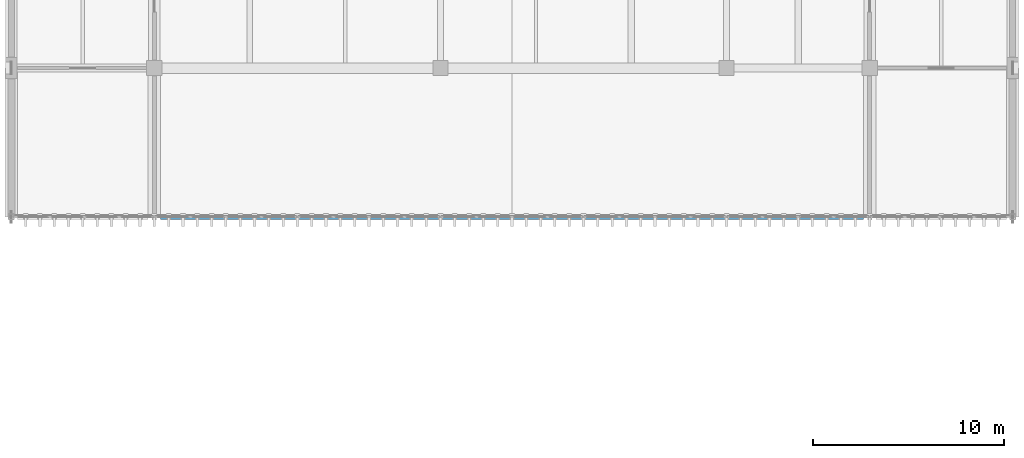
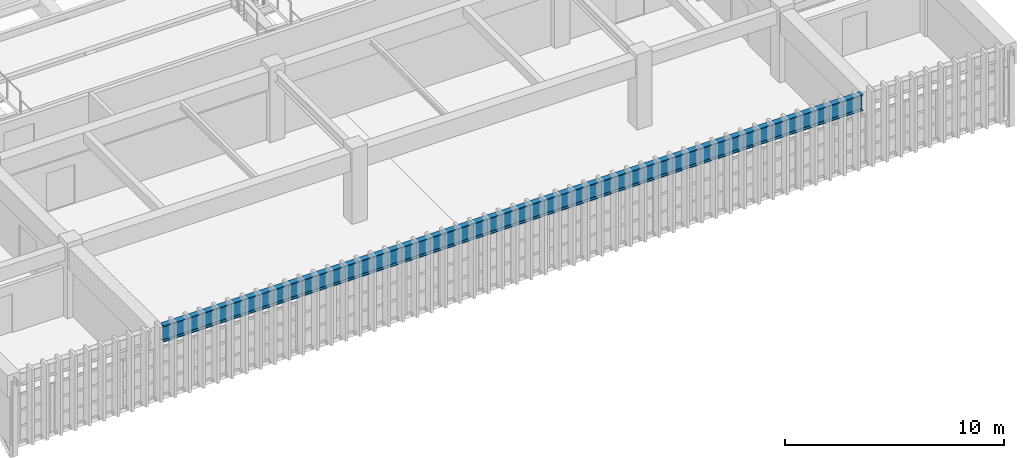
# One storey, part 30 of 124: 1 beam.
"""IFC4 building model written with IfcOpenShell, lengths in metres."""

from ifc_helpers import new_model, si_unit, direction, frame, origin, origin_2d, place, context, subcontext, project, spatial, i_section, extrude, material, material_profile, profile_set, type_object, element, save


model = new_model("IFC4")

# Units and contexts
model_context = context("Model", 3, precision=1e-05, world=origin(), true_north=direction((0.0, 1.0)))
body_context = subcontext(model_context, "Body", "Model", "MODEL_VIEW")
ifc_project = project(units=[si_unit("LENGTHUNIT", "METRE"), si_unit("AREAUNIT", "SQUARE_METRE"), si_unit("VOLUMEUNIT", "CUBIC_METRE"), si_unit("PLANEANGLEUNIT", "RADIAN"), si_unit("MASSUNIT", "GRAM", prefix="KILO")], contexts=[model_context])

# Site, building, storey
site_placement = place(None, origin())
site = spatial("IfcSite", under=ifc_project, at=site_placement, CompositionType="ELEMENT")
building_placement = place(site_placement, origin())
building = spatial("IfcBuilding", under=site, at=building_placement, Name="Qasida Concert Hall", CompositionType="ELEMENT")
storey_placement = place(building_placement, frame((0.0, 0.0, 9.0)))
storey = spatial("IfcBuildingStorey", under=building, at=storey_placement, Name="L02", CompositionType="ELEMENT", Elevation=9.0)

# Beam
ifc_material = material(Name="Steel S355J2", Category="steel")
ifc_material_profile = material_profile(ifc_material, i_section(OverallWidth=0.300048828125, OverallDepth=0.89990234375, WebThickness=0.0185546875, FlangeThickness=0.034912109375, FilletRadius=0.030029296875, at=origin_2d()), Name="HEB 900")
ifc_profile_set = profile_set([ifc_material_profile], Name="Steel S355J2")
beam_type = type_object("IfcBeamType", Name="BM-B9", PredefinedType="BEAM", material=ifc_profile_set)
beam_placement = place(storey_placement, frame((60.324951171875, 14.699951171875, 3.469970703125), z_axis=(1.0, 0.0, 0.0), x_axis=(0.0, 1.0, 0.0)))
element("IfcBeam", 1, at=beam_placement, inside=storey, type_object=beam_type, Name="Front overhang fascia beam 013", PredefinedType="BEAM", context=body_context, shape_type="SweptSolid", body=[
    extrude(i_section(OverallWidth=0.300048828125, OverallDepth=0.89990234375, WebThickness=0.0185546875, FlangeThickness=0.034912109375, FilletRadius=0.030029296875, at=origin_2d()), origin(), (0.0, 0.0, 1.0), 36.85009765625),
])

save(model, "model.ifc")
